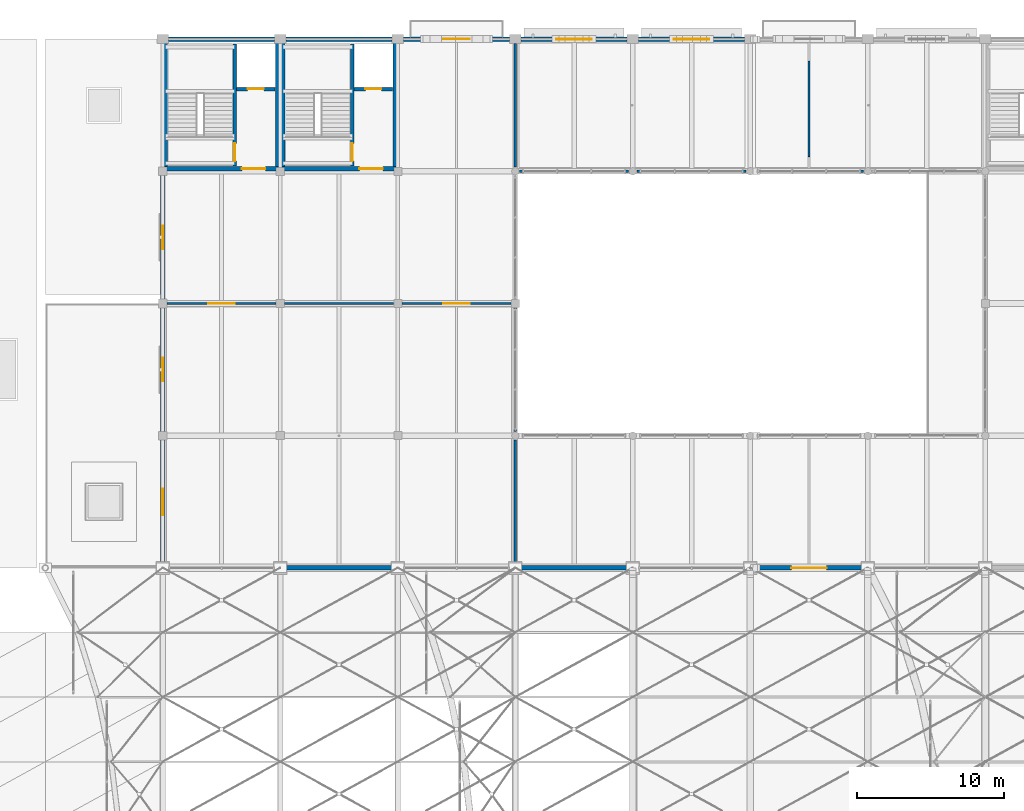
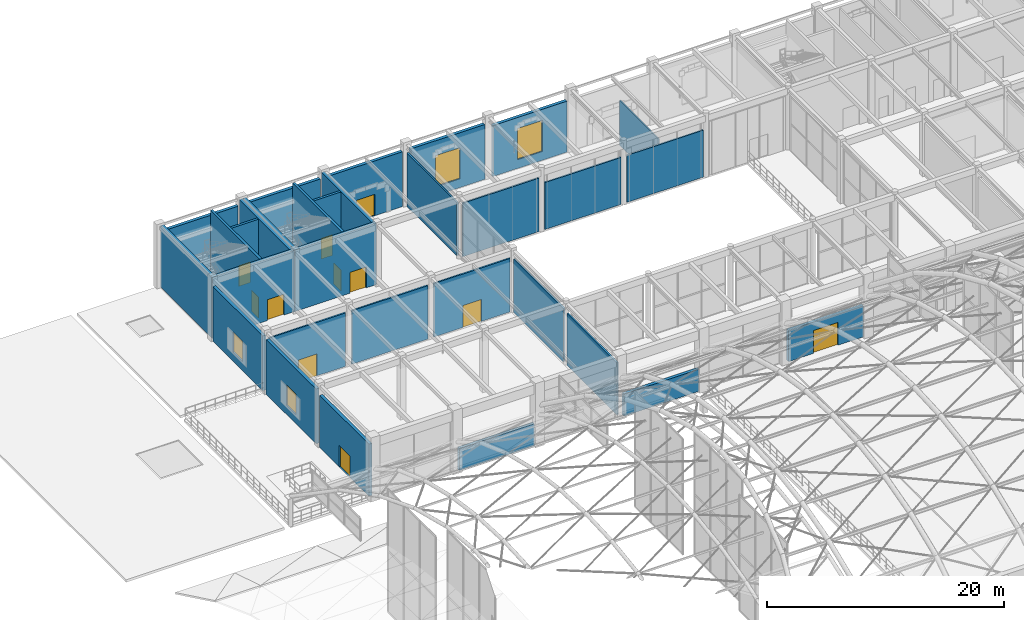
# One storey, part 130 of 163: 31 walls, 11 doors, 4 windows, 15 openings.
"""IFC4 building model written with IfcOpenShell, lengths in metres."""

from ifc_helpers import new_model, si_unit, direction, frame, frame_2d, origin, place, context, subcontext, project, spatial, rectangle, extrude, material, layer, layer_set, type_object, element, fill, save


model = new_model("IFC4")

# Units and contexts
model_context = context("Model", 3, precision=1e-05, world=origin(), true_north=direction((0.0, 1.0)))
body_context = subcontext(model_context, "Body", "Model", "MODEL_VIEW")
ifc_project = project(units=[si_unit("LENGTHUNIT", "METRE"), si_unit("AREAUNIT", "SQUARE_METRE"), si_unit("VOLUMEUNIT", "CUBIC_METRE"), si_unit("PLANEANGLEUNIT", "RADIAN"), si_unit("MASSUNIT", "GRAM", prefix="KILO")], contexts=[model_context])

# Site, building, storey
site_placement = place(None, origin())
site = spatial("IfcSite", under=ifc_project, at=site_placement, CompositionType="ELEMENT")
building_placement = place(site_placement, origin())
building = spatial("IfcBuilding", under=site, at=building_placement, Name="Varnabhumi Central Station", CompositionType="ELEMENT")
storey_placement = place(building_placement, frame((0.0, 0.0, 9.60009765625)))
storey = spatial("IfcBuildingStorey", under=building, at=storey_placement, Name="L02", CompositionType="ELEMENT", Elevation=9.60009765625)

# Walls
ifc_material_1 = material(Name="Concrete M40", Category="concrete")
ifc_layer_1 = layer(ifc_material_1, 0.300048828125, Name="Concrete M40", Category="concrete")
ifc_layer_set_1 = layer_set([ifc_layer_1], Name="Concrete M40")
wall_type_1 = type_object("IfcWallType", Name="WAL-CORE-RC-300", PredefinedType="SHEAR", material=ifc_layer_set_1)
for number, where, z_axis, x_axis, name in (
    (1, (24.179931640625, 107.179931640625, 0.0), (0.0, 0.0, 1.0), (0.0, 1.0, 0.0), "NC1 L02 West Shear Wall"),
    (2, (31.820068359375, 107.179931640625, 0.0), (0.0, 0.0, 1.0), (0.0, 1.0, 0.0), "NC1 L02 East Shear Wall"),
):
    element("IfcWall", number, at=place(storey_placement, frame(where, z_axis=z_axis, x_axis=x_axis)), inside=storey, type_object=wall_type_1, Name=name, PredefinedType="SHEAR", context=body_context, shape_type="SweptSolid", body=[
        extrude(rectangle(XDim=8.64013671875, YDim=0.300048828125, at=frame_2d((4.320068359375, 0.0))), origin(), (0.0, 0.0, 1.0), 6.31982421875),
    ])

# Wall, opening, door
wall_1_placement = place(storey_placement, frame((24.030029296875, 107.179931640625, 0.0), z_axis=(0.0, 0.0, 1.0), x_axis=(1.0, 0.0, 0.0)))
wall_1 = element("IfcWall", 3, at=wall_1_placement, inside=storey, type_object=wall_type_1, Name="NC1 L02 Corridor Shear Wall", PredefinedType="SHEAR", context=body_context, shape_type="SweptSolid", body=[
    extrude(rectangle(XDim=7.93994140625, YDim=0.300048828125, at=frame_2d((3.969970703125, 0.0))), origin(), (0.0, 0.0, 1.0), 6.31982421875),
])
opening_1_placement = place(wall_1_placement, frame((5.35009765625, 0.0, 0.0)))
opening_1 = element("IfcOpeningElement", 4, at=opening_1_placement, cuts=wall_1, Name="Opening FD-60D", PredefinedType="OPENING", context=body_context, shape_type="SweptSolid", body=[
    extrude(rectangle(XDim=1.60009765625, YDim=2.14990234375, at=frame_2d((0.800048828125, 1.074951171875))), frame((0.0, 0.159912109375, 0.0), z_axis=(0.0, -1.0, 0.0), x_axis=(1.0, 0.0, 0.0)), (0.0, 0.0, 1.0), 0.320068359375),
])
ifc_material_2 = material(Name="Intumescent-treated hardwood timber", Category="wood")
door_type_1 = type_object("IfcDoorType", Name="DR-FIRE-60-1600", OperationType="NOTDEFINED", PredefinedType="DOOR", material=ifc_material_2)
door_1_placement = place(opening_1_placement, frame((1.60009765625, 0.0, 0.0), z_axis=(0.0, 0.0, 1.0), x_axis=(-1.0, 0.0, 0.0)))
door_1 = element("IfcDoor", 5, at=door_1_placement, inside=storey, type_object=door_type_1, Name="NC1 L02 Lobby Fire Door", OperationType="DOUBLE_DOOR_SINGLE_SWING", OverallHeight=2.14990234375, OverallWidth=1.60009765625, PredefinedType="DOOR", context=body_context, shape_type="SweptSolid", body=[
    extrude(rectangle(XDim=1.60009765625, YDim=2.14990234375, at=frame_2d((0.800048828125, 1.074951171875))), frame((0.0, 0.02490234375, 0.0), z_axis=(0.0, -1.0, 0.0), x_axis=(1.0, 0.0, 0.0)), (0.0, 0.0, 1.0), 0.050048828125),
])
fill(opening_1, door_1)

# Walls
for number, where, z_axis, x_axis, name in (
    (6, (32.179931640625, 107.179931640625, 0.0), (0.0, 0.0, 1.0), (0.0, 1.0, 0.0), "NC4 L02 West Shear Wall"),
    (7, (39.820068359375, 107.179931640625, 0.0), (0.0, 0.0, 1.0), (0.0, 1.0, 0.0), "NC4 L02 East Shear Wall"),
):
    element("IfcWall", number, at=place(storey_placement, frame(where, z_axis=z_axis, x_axis=x_axis)), inside=storey, type_object=wall_type_1, Name=name, PredefinedType="SHEAR", context=body_context, shape_type="SweptSolid", body=[
        extrude(rectangle(XDim=8.64013671875, YDim=0.300048828125, at=frame_2d((4.320068359375, 0.0))), origin(), (0.0, 0.0, 1.0), 6.31982421875),
    ])

# Wall, opening, door
wall_2_placement = place(storey_placement, frame((32.030029296875, 107.179931640625, 0.0), z_axis=(0.0, 0.0, 1.0), x_axis=(1.0, 0.0, 0.0)))
wall_2 = element("IfcWall", 8, at=wall_2_placement, inside=storey, type_object=wall_type_1, Name="NC4 L02 Corridor Shear Wall", PredefinedType="SHEAR", context=body_context, shape_type="SweptSolid", body=[
    extrude(rectangle(XDim=7.93994140625, YDim=0.300048828125, at=frame_2d((3.969970703125, 0.0))), origin(), (0.0, 0.0, 1.0), 6.31982421875),
])
opening_2_placement = place(wall_2_placement, frame((5.35009765625, 0.0, 0.0)))
opening_2 = element("IfcOpeningElement", 9, at=opening_2_placement, cuts=wall_2, Name="Opening FD-60D", PredefinedType="OPENING", context=body_context, shape_type="SweptSolid", body=[
    extrude(rectangle(XDim=1.60009765625, YDim=2.14990234375, at=frame_2d((0.800048828125, 1.074951171875))), frame((0.0, 0.159912109375, 0.0), z_axis=(0.0, -1.0, 0.0), x_axis=(1.0, 0.0, 0.0)), (0.0, 0.0, 1.0), 0.320068359375),
])
door_2_placement = place(opening_2_placement, frame((1.60009765625, 0.0, 0.0), z_axis=(0.0, 0.0, 1.0), x_axis=(-1.0, 0.0, 0.0)))
door_2 = element("IfcDoor", 10, at=door_2_placement, inside=storey, type_object=door_type_1, Name="NC4 L02 Lobby Fire Door", OperationType="DOUBLE_DOOR_SINGLE_SWING", OverallHeight=2.14990234375, OverallWidth=1.60009765625, PredefinedType="DOOR", context=body_context, shape_type="SweptSolid", body=[
    extrude(rectangle(XDim=1.60009765625, YDim=2.14990234375, at=frame_2d((0.800048828125, 1.074951171875))), frame((0.0, 0.02490234375, 0.0), z_axis=(0.0, -1.0, 0.0), x_axis=(1.0, 0.0, 0.0)), (0.0, 0.0, 1.0), 0.050048828125),
])
fill(opening_2, door_2)

# Walls
ifc_material_3 = material(Name="Autoclaved aerated blockwork masonry", Category="masonry")
ifc_layer_2 = layer(ifc_material_3, 0.300048828125, Name="Autoclaved aerated blockwork masonry", Category="masonry")
ifc_layer_set_2 = layer_set([ifc_layer_2], Name="Autoclaved aerated blockwork masonry")
wall_type_2 = type_object("IfcWallType", Name="WAL-EXT-STUCCO-300", PredefinedType="SOLIDWALL", material=ifc_layer_set_2)
for number, where, z_axis, x_axis, name in (
    (11, (24.39990234375, 116.0, 0.0), (0.0, 0.0, 1.0), (1.0, 0.0, 0.0), "North Boulevard Wall L02-1"),
    (12, (32.39990234375, 116.0, 0.0), (0.0, 0.0, 1.0), (1.0, 0.0, 0.0), "North Boulevard Wall L02-2"),
):
    element("IfcWall", number, at=place(storey_placement, frame(where, z_axis=z_axis, x_axis=x_axis)), inside=storey, type_object=wall_type_2, Name=name, PredefinedType="SOLIDWALL", context=body_context, shape_type="SweptSolid", body=[
        extrude(rectangle(XDim=7.2001953125, YDim=0.300048828125, at=frame_2d((3.60009765625, 0.0))), origin(), (0.0, 0.0, 1.0), 5.639892578125),
    ])
wall_3_placement = place(storey_placement, frame((32.344970703125, 80.0, 0.0), z_axis=(0.0, 0.0, 1.0), x_axis=(1.0, 0.0, 0.0)))
element("IfcWall", 13, at=wall_3_placement, inside=storey, type_object=wall_type_2, Name="North Spine Wall L02-2", PredefinedType="SOLIDWALL", context=body_context, shape_type="SweptSolid", body=[
    extrude(rectangle(XDim=7.31005859375, YDim=0.300048828125, at=frame_2d((3.655029296875, 0.0))), origin(), (0.0, 0.0, 1.0), 2.27001953125),
])

# Wall, opening, door
wall_4_placement = place(storey_placement, frame((40.39990234375, 116.0, 0.0), z_axis=(0.0, 0.0, 1.0), x_axis=(1.0, 0.0, 0.0)))
wall_4 = element("IfcWall", 14, at=wall_4_placement, inside=storey, type_object=wall_type_2, Name="North Boulevard Wall L02-3", PredefinedType="SOLIDWALL", context=body_context, shape_type="SweptSolid", body=[
    extrude(rectangle(XDim=7.2001953125, YDim=0.300048828125, at=frame_2d((3.60009765625, 0.0))), origin(), (0.0, 0.0, 1.0), 5.639892578125),
])
opening_3_placement = place(wall_4_placement, frame((2.699951171875, 0.0, 0.0)))
opening_3 = element("IfcOpeningElement", 15, at=opening_3_placement, cuts=wall_4, Name="Opening ED-4", PredefinedType="OPENING", context=body_context, shape_type="SweptSolid", body=[
    extrude(rectangle(XDim=1.800048828125, YDim=2.199951171875, at=frame_2d((0.89990234375, 1.10009765625))), frame((0.0, 0.159912109375, 0.0), z_axis=(0.0, -1.0, 0.0), x_axis=(1.0, 0.0, 0.0)), (0.0, 0.0, 1.0), 0.320068359375),
])
ifc_material_4 = material(Name="Anodised aluminium 6063-T6", Category="aluminium")
door_type_2 = type_object("IfcDoorType", Name="DR-EXT-AZOTEA-1800", OperationType="NOTDEFINED", PredefinedType="DOOR", material=ifc_material_4)
door_3_placement = place(opening_3_placement, origin())
door_3 = element("IfcDoor", 16, at=door_3_placement, inside=storey, type_object=door_type_2, Name="North Boulevard Balcony French Door L02-3", OperationType="DOUBLE_DOOR_SINGLE_SWING", OverallHeight=2.199951171875, OverallWidth=1.800048828125, PredefinedType="DOOR", context=body_context, shape_type="SweptSolid", body=[
    extrude(rectangle(XDim=1.800048828125, YDim=2.199951171875, at=frame_2d((0.89990234375, 1.10009765625))), frame((0.0, 0.02490234375, 0.0), z_axis=(0.0, -1.0, 0.0), x_axis=(1.0, 0.0, 0.0)), (0.0, 0.0, 1.0), 0.050048828125),
])
fill(opening_3, door_3)

# Wall, opening, window
wall_5_placement = place(storey_placement, frame((48.39990234375, 116.0, 0.0), z_axis=(0.0, 0.0, 1.0), x_axis=(1.0, 0.0, 0.0)))
wall_5 = element("IfcWall", 17, at=wall_5_placement, inside=storey, type_object=wall_type_2, Name="North Boulevard Wall L02-4", PredefinedType="SOLIDWALL", context=body_context, shape_type="SweptSolid", body=[
    extrude(rectangle(XDim=7.2001953125, YDim=0.300048828125, at=frame_2d((3.60009765625, 0.0))), origin(), (0.0, 0.0, 1.0), 5.639892578125),
])
opening_4_placement = place(wall_5_placement, frame((2.39990234375, 0.0, 0.89990234375)))
opening_4 = element("IfcOpeningElement", 18, at=opening_4_placement, cuts=wall_5, Name="Opening W-05", PredefinedType="OPENING", context=body_context, shape_type="SweptSolid", body=[
    extrude(rectangle(XDim=2.39990234375, YDim=3.199951171875, at=frame_2d((1.199951171875, 1.60009765625))), frame((0.0, 0.159912109375, 0.0), z_axis=(0.0, -1.0, 0.0), x_axis=(1.0, 0.0, 0.0)), (0.0, 0.0, 1.0), 0.320068359375),
])
ifc_material_5 = material(Name="Laminated low-E double glazing", Category="glass")
window_type_1 = type_object("IfcWindowType", Name="WIN-TALL-2400x3200", PartitioningType="TRIPLE_PANEL_HORIZONTAL", PredefinedType="WINDOW", material=ifc_material_5)
window_1_placement = place(opening_4_placement, origin())
window_1 = element("IfcWindow", 19, at=window_1_placement, inside=storey, type_object=window_type_1, Name="North Facade Window L02-4", OverallHeight=3.199951171875, OverallWidth=2.39990234375, PartitioningType="SINGLE_PANEL", PredefinedType="WINDOW", context=body_context, shape_type="SweptSolid", body=[
    extrude(rectangle(XDim=2.39990234375, YDim=3.199951171875, at=frame_2d((1.199951171875, 1.60009765625))), frame((0.0, 0.030029296875, 0.0), z_axis=(0.0, -1.0, 0.0), x_axis=(1.0, 0.0, 0.0)), (0.0, 0.0, 1.0), 0.06005859375),
])
fill(opening_4, window_1)

# Wall
wall_6_placement = place(storey_placement, frame((48.344970703125, 80.0, 0.0), z_axis=(0.0, 0.0, 1.0), x_axis=(1.0, 0.0, 0.0)))
element("IfcWall", 20, at=wall_6_placement, inside=storey, type_object=wall_type_2, Name="North Spine Wall L02-4", PredefinedType="SOLIDWALL", context=body_context, shape_type="SweptSolid", body=[
    extrude(rectangle(XDim=7.31005859375, YDim=0.300048828125, at=frame_2d((3.655029296875, 0.0))), origin(), (0.0, 0.0, 1.0), 2.27001953125),
])

# Wall, opening, window
wall_7_placement = place(storey_placement, frame((56.39990234375, 116.0, 0.0), z_axis=(0.0, 0.0, 1.0), x_axis=(1.0, 0.0, 0.0)))
wall_7 = element("IfcWall", 21, at=wall_7_placement, inside=storey, type_object=wall_type_2, Name="North Boulevard Wall L02-5", PredefinedType="SOLIDWALL", context=body_context, shape_type="SweptSolid", body=[
    extrude(rectangle(XDim=7.2001953125, YDim=0.300048828125, at=frame_2d((3.60009765625, 0.0))), origin(), (0.0, 0.0, 1.0), 5.239990234375),
])
opening_5_placement = place(wall_7_placement, frame((2.39990234375, 0.0, 0.89990234375)))
opening_5 = element("IfcOpeningElement", 22, at=opening_5_placement, cuts=wall_7, Name="Opening W-05", PredefinedType="OPENING", context=body_context, shape_type="SweptSolid", body=[
    extrude(rectangle(XDim=2.39990234375, YDim=3.199951171875, at=frame_2d((1.199951171875, 1.60009765625))), frame((0.0, 0.159912109375, 0.0), z_axis=(0.0, -1.0, 0.0), x_axis=(1.0, 0.0, 0.0)), (0.0, 0.0, 1.0), 0.320068359375),
])
window_2_placement = place(opening_5_placement, origin())
window_2 = element("IfcWindow", 23, at=window_2_placement, inside=storey, type_object=window_type_1, Name="North Facade Window L02-5", OverallHeight=3.199951171875, OverallWidth=2.39990234375, PartitioningType="SINGLE_PANEL", PredefinedType="WINDOW", context=body_context, shape_type="SweptSolid", body=[
    extrude(rectangle(XDim=2.39990234375, YDim=3.199951171875, at=frame_2d((1.199951171875, 1.60009765625))), frame((0.0, 0.030029296875, 0.0), z_axis=(0.0, -1.0, 0.0), x_axis=(1.0, 0.0, 0.0)), (0.0, 0.0, 1.0), 0.06005859375),
])
fill(opening_5, window_2)

# Wall, opening, door
wall_8_placement = place(storey_placement, frame((64.344970703125, 80.0, 0.0), z_axis=(0.0, 0.0, 1.0), x_axis=(1.0, 0.0, 0.0)))
wall_8 = element("IfcWall", 24, at=wall_8_placement, inside=storey, type_object=wall_type_2, Name="North Spine Wall L02-6", PredefinedType="SOLIDWALL", context=body_context, shape_type="SweptSolid", body=[
    extrude(rectangle(XDim=7.31005859375, YDim=0.300048828125, at=frame_2d((3.655029296875, 0.0))), origin(), (0.0, 0.0, 1.0), 3.219970703125),
])
opening_6_placement = place(wall_8_placement, frame((2.455078125, 0.0, 0.0)))
opening_6 = element("IfcOpeningElement", 25, at=opening_6_placement, cuts=wall_8, Name="Opening ED-1", PredefinedType="OPENING", context=body_context, shape_type="SweptSolid", body=[
    extrude(rectangle(XDim=2.39990234375, YDim=2.35009765625, at=frame_2d((1.199951171875, 1.175048828125))), frame((0.0, 0.159912109375, 0.0), z_axis=(0.0, -1.0, 0.0), x_axis=(1.0, 0.0, 0.0)), (0.0, 0.0, 1.0), 0.320068359375),
])
door_type_3 = type_object("IfcDoorType", Name="DR-EXT-PORTAL-2400", OperationType="NOTDEFINED", PredefinedType="DOOR", material=ifc_material_4)
door_4_placement = place(opening_6_placement, frame((2.39990234375, 0.0, 0.0), z_axis=(0.0, 0.0, 1.0), x_axis=(-1.0, 0.0, 0.0)))
door_4 = element("IfcDoor", 26, at=door_4_placement, inside=storey, type_object=door_type_3, Name="North Spine Portal Door L02-6", OperationType="DOUBLE_DOOR_SINGLE_SWING", OverallHeight=2.35009765625, OverallWidth=2.39990234375, PredefinedType="DOOR", context=body_context, shape_type="SweptSolid", body=[
    extrude(rectangle(XDim=2.39990234375, YDim=2.35009765625, at=frame_2d((1.199951171875, 1.175048828125))), frame((0.0, 0.02490234375, 0.0), z_axis=(0.0, -1.0, 0.0), x_axis=(1.0, 0.0, 0.0)), (0.0, 0.0, 1.0), 0.050048828125),
])
fill(opening_6, door_4)

wall_9_placement = place(storey_placement, frame((24.0, 80.39990234375, 0.0), z_axis=(0.0, 0.0, 1.0), x_axis=(0.0, 1.0, 0.0)))
wall_9 = element("IfcWall", 27, at=wall_9_placement, inside=storey, type_object=wall_type_2, Name="North Wing E End Wall L02-1", PredefinedType="SOLIDWALL", context=body_context, shape_type="SweptSolid", body=[
    extrude(rectangle(XDim=8.30517578125, YDim=0.300048828125, at=frame_2d((4.152587890625, 0.0))), origin(), (0.0, 0.0, 1.0), 5.35986328125),
])
opening_7_placement = place(wall_9_placement, frame((3.199951171875, 0.0, 0.0)))
opening_7 = element("IfcOpeningElement", 28, at=opening_7_placement, cuts=wall_9, Name="Opening ED-4", PredefinedType="OPENING", context=body_context, shape_type="SweptSolid", body=[
    extrude(rectangle(XDim=1.800048828125, YDim=2.199951171875, at=frame_2d((0.89990234375, 1.10009765625))), frame((0.0, 0.159912109375, 0.0), z_axis=(0.0, -1.0, 0.0), x_axis=(1.0, 0.0, 0.0)), (0.0, 0.0, 1.0), 0.320068359375),
])
door_5_placement = place(opening_7_placement, frame((1.800048828125, 0.0, 0.0), z_axis=(0.0, 0.0, 1.0), x_axis=(-1.0, 0.0, 0.0)))
door_5 = element("IfcDoor", 29, at=door_5_placement, inside=storey, type_object=door_type_2, Name="North Azotea Garden Door L02-E", OperationType="DOUBLE_DOOR_SINGLE_SWING", OverallHeight=2.199951171875, OverallWidth=1.800048828125, PredefinedType="DOOR", context=body_context, shape_type="SweptSolid", body=[
    extrude(rectangle(XDim=1.800048828125, YDim=2.199951171875, at=frame_2d((0.89990234375, 1.10009765625))), frame((0.0, 0.02490234375, 0.0), z_axis=(0.0, -1.0, 0.0), x_axis=(1.0, 0.0, 0.0)), (0.0, 0.0, 1.0), 0.050048828125),
])
fill(opening_7, door_5)

# Wall, opening, window
wall_10_placement = place(storey_placement, frame((24.0, 89.294921875, 0.0), z_axis=(0.0, 0.0, 1.0), x_axis=(0.0, 1.0, 0.0)))
wall_10 = element("IfcWall", 30, at=wall_10_placement, inside=storey, type_object=wall_type_2, Name="North Wing E End Wall L02-2", PredefinedType="SOLIDWALL", context=body_context, shape_type="SweptSolid", body=[
    extrude(rectangle(XDim=8.41015625, YDim=0.300048828125, at=frame_2d((4.205078125, 0.0))), origin(), (0.0, 0.0, 1.0), 5.639892578125),
])
opening_8_placement = place(wall_10_placement, frame((3.405029296875, 0.0, 0.949951171875)))
opening_8 = element("IfcOpeningElement", 31, at=opening_8_placement, cuts=wall_10, Name="Opening W-04", PredefinedType="OPENING", context=body_context, shape_type="SweptSolid", body=[
    extrude(rectangle(XDim=1.60009765625, YDim=2.10009765625, at=frame_2d((0.800048828125, 1.050048828125))), frame((0.0, 0.159912109375, 0.0), z_axis=(0.0, -1.0, 0.0), x_axis=(1.0, 0.0, 0.0)), (0.0, 0.0, 1.0), 0.320068359375),
])
window_type_2 = type_object("IfcWindowType", Name="WIN-PIER-1600x2200", PartitioningType="SINGLE_PANEL", PredefinedType="WINDOW", material=ifc_material_5)
window_3_placement = place(opening_8_placement, origin())
window_3 = element("IfcWindow", 32, at=window_3_placement, inside=storey, type_object=window_type_2, Name="North E Window L02-2", OverallHeight=2.10009765625, OverallWidth=1.60009765625, PartitioningType="SINGLE_PANEL", PredefinedType="WINDOW", context=body_context, shape_type="SweptSolid", body=[
    extrude(rectangle(XDim=1.60009765625, YDim=2.10009765625, at=frame_2d((0.800048828125, 1.050048828125))), frame((0.0, 0.030029296875, 0.0), z_axis=(0.0, -1.0, 0.0), x_axis=(1.0, 0.0, 0.0)), (0.0, 0.0, 1.0), 0.06005859375),
])
fill(opening_8, window_3)

wall_11_placement = place(storey_placement, frame((24.0, 98.294921875, 0.0), z_axis=(0.0, 0.0, 1.0), x_axis=(0.0, 1.0, 0.0)))
wall_11 = element("IfcWall", 33, at=wall_11_placement, inside=storey, type_object=wall_type_2, Name="North Wing E End Wall L02-3", PredefinedType="SOLIDWALL", context=body_context, shape_type="SweptSolid", body=[
    extrude(rectangle(XDim=8.41015625, YDim=0.300048828125, at=frame_2d((4.205078125, 0.0))), origin(), (0.0, 0.0, 1.0), 5.639892578125),
])
opening_9_placement = place(wall_11_placement, frame((3.405029296875, 0.0, 0.949951171875)))
opening_9 = element("IfcOpeningElement", 34, at=opening_9_placement, cuts=wall_11, Name="Opening W-04", PredefinedType="OPENING", context=body_context, shape_type="SweptSolid", body=[
    extrude(rectangle(XDim=1.60009765625, YDim=2.10009765625, at=frame_2d((0.800048828125, 1.050048828125))), frame((0.0, 0.159912109375, 0.0), z_axis=(0.0, -1.0, 0.0), x_axis=(1.0, 0.0, 0.0)), (0.0, 0.0, 1.0), 0.320068359375),
])
window_4_placement = place(opening_9_placement, origin())
window_4 = element("IfcWindow", 35, at=window_4_placement, inside=storey, type_object=window_type_2, Name="North E Window L02-3", OverallHeight=2.10009765625, OverallWidth=1.60009765625, PartitioningType="SINGLE_PANEL", PredefinedType="WINDOW", context=body_context, shape_type="SweptSolid", body=[
    extrude(rectangle(XDim=1.60009765625, YDim=2.10009765625, at=frame_2d((0.800048828125, 1.050048828125))), frame((0.0, 0.030029296875, 0.0), z_axis=(0.0, -1.0, 0.0), x_axis=(1.0, 0.0, 0.0)), (0.0, 0.0, 1.0), 0.06005859375),
])
fill(opening_9, window_4)

# Wall, opening, door
ifc_layer_3 = layer(ifc_material_3, 0.159912109375, Name="Autoclaved aerated blockwork masonry", Category="masonry")
ifc_layer_set_3 = layer_set([ifc_layer_3], Name="Autoclaved aerated blockwork masonry")
wall_type_3 = type_object("IfcWallType", Name="WAL-PART-AAC-160", PredefinedType="PARTITIONING", material=ifc_layer_set_3)
wall_12_placement = place(storey_placement, frame((24.300048828125, 98.0, 0.0), z_axis=(0.0, 0.0, 1.0), x_axis=(1.0, 0.0, 0.0)))
wall_12 = element("IfcWall", 36, at=wall_12_placement, inside=storey, type_object=wall_type_3, Name="Executive Waiting Lounge Corridor Partition 1", PredefinedType="PARTITIONING", context=body_context, shape_type="SweptSolid", body=[
    extrude(rectangle(XDim=7.39990234375, YDim=0.159912109375, at=frame_2d((3.699951171875, 0.0))), origin(), (0.0, 0.0, 1.0), 5.5),
])
opening_10_placement = place(wall_12_placement, frame((2.800048828125, 0.0, 0.0)))
opening_10 = element("IfcOpeningElement", 37, at=opening_10_placement, cuts=wall_12, Name="Opening D-02", PredefinedType="OPENING", context=body_context, shape_type="SweptSolid", body=[
    extrude(rectangle(XDim=1.800048828125, YDim=2.25, at=frame_2d((0.89990234375, 1.125))), frame((0.0, 0.08984375, 0.0), z_axis=(0.0, -1.0, 0.0), x_axis=(1.0, 0.0, 0.0)), (0.0, 0.0, 1.0), 0.179931640625),
])
door_type_4 = type_object("IfcDoorType", Name="DR-LOUNGE-1800", OperationType="NOTDEFINED", PredefinedType="DOOR", material=ifc_material_4)
door_6_placement = place(opening_10_placement, origin())
door_6 = element("IfcDoor", 38, at=door_6_placement, inside=storey, type_object=door_type_4, Name="Executive Waiting Lounge Door 1", OperationType="DOUBLE_DOOR_SINGLE_SWING", OverallHeight=2.25, OverallWidth=1.800048828125, PredefinedType="DOOR", context=body_context, shape_type="SweptSolid", body=[
    extrude(rectangle(XDim=1.800048828125, YDim=2.25, at=frame_2d((0.89990234375, 1.125))), frame((0.0, 0.02490234375, 0.0), z_axis=(0.0, -1.0, 0.0), x_axis=(1.0, 0.0, 0.0)), (0.0, 0.0, 1.0), 0.050048828125),
])
fill(opening_10, door_6)

# Wall
wall_13_placement = place(storey_placement, frame((32.300048828125, 98.0, 0.0), z_axis=(0.0, 0.0, 1.0), x_axis=(1.0, 0.0, 0.0)))
element("IfcWall", 39, at=wall_13_placement, inside=storey, type_object=wall_type_3, Name="Executive Waiting Lounge Corridor Partition 2", PredefinedType="PARTITIONING", context=body_context, shape_type="SweptSolid", body=[
    extrude(rectangle(XDim=7.39990234375, YDim=0.159912109375, at=frame_2d((3.699951171875, 0.0))), origin(), (0.0, 0.0, 1.0), 5.5),
])

# Wall, opening, door
wall_14_placement = place(storey_placement, frame((40.300048828125, 98.0, 0.0), z_axis=(0.0, 0.0, 1.0), x_axis=(1.0, 0.0, 0.0)))
wall_14 = element("IfcWall", 40, at=wall_14_placement, inside=storey, type_object=wall_type_3, Name="Executive Waiting Lounge Corridor Partition 3", PredefinedType="PARTITIONING", context=body_context, shape_type="SweptSolid", body=[
    extrude(rectangle(XDim=7.39990234375, YDim=0.159912109375, at=frame_2d((3.699951171875, 0.0))), origin(), (0.0, 0.0, 1.0), 5.5),
])
opening_11_placement = place(wall_14_placement, frame((2.800048828125, 0.0, 0.0)))
opening_11 = element("IfcOpeningElement", 41, at=opening_11_placement, cuts=wall_14, Name="Opening D-02", PredefinedType="OPENING", context=body_context, shape_type="SweptSolid", body=[
    extrude(rectangle(XDim=1.800048828125, YDim=2.25, at=frame_2d((0.89990234375, 1.125))), frame((0.0, 0.08984375, 0.0), z_axis=(0.0, -1.0, 0.0), x_axis=(1.0, 0.0, 0.0)), (0.0, 0.0, 1.0), 0.179931640625),
])
door_7_placement = place(opening_11_placement, origin())
door_7 = element("IfcDoor", 42, at=door_7_placement, inside=storey, type_object=door_type_4, Name="Executive Waiting Lounge Door 3", OperationType="DOUBLE_DOOR_SINGLE_SWING", OverallHeight=2.25, OverallWidth=1.800048828125, PredefinedType="DOOR", context=body_context, shape_type="SweptSolid", body=[
    extrude(rectangle(XDim=1.800048828125, YDim=2.25, at=frame_2d((0.89990234375, 1.125))), frame((0.0, 0.02490234375, 0.0), z_axis=(0.0, -1.0, 0.0), x_axis=(1.0, 0.0, 0.0)), (0.0, 0.0, 1.0), 0.050048828125),
])
fill(opening_11, door_7)

# Walls
wall_15_placement = place(storey_placement, frame((48.0, 80.300048828125, 0.0), z_axis=(0.0, 0.0, 1.0), x_axis=(0.0, 1.0, 0.0)))
element("IfcWall", 43, at=wall_15_placement, inside=storey, type_object=wall_type_3, Name="Executive Waiting Lounge W Partition 1", PredefinedType="PARTITIONING", context=body_context, shape_type="SweptSolid", body=[
    extrude(rectangle(XDim=8.39990234375, YDim=0.159912109375, at=frame_2d((4.199951171875, 0.0))), origin(), (0.0, 0.0, 1.0), 5.35986328125),
])
wall_16_placement = place(storey_placement, frame((48.0, 89.300048828125, 0.0), z_axis=(0.0, 0.0, 1.0), x_axis=(0.0, 1.0, 0.0)))
element("IfcWall", 44, at=wall_16_placement, inside=storey, type_object=wall_type_3, Name="Executive Waiting Lounge W Partition 2", PredefinedType="PARTITIONING", context=body_context, shape_type="SweptSolid", body=[
    extrude(rectangle(XDim=8.39990234375, YDim=0.159912109375, at=frame_2d((4.199951171875, 0.0))), origin(), (0.0, 0.0, 1.0), 5.5),
])
wall_17_placement = place(storey_placement, frame((48.300048828125, 107.0, 0.0), z_axis=(0.0, 0.0, 1.0), x_axis=(1.0, 0.0, 0.0)))
element("IfcWall", 45, at=wall_17_placement, inside=storey, type_object=wall_type_3, Name="Ladies' Waiting Lounge Corridor Partition 1", PredefinedType="PARTITIONING", context=body_context, shape_type="SweptSolid", body=[
    extrude(rectangle(XDim=7.39990234375, YDim=0.159912109375, at=frame_2d((3.699951171875, 0.0))), origin(), (0.0, 0.0, 1.0), 5.5),
])
for number, where, z_axis, x_axis, name in (
    (46, (56.300048828125, 107.0, 0.0), (0.0, 0.0, 1.0), (1.0, 0.0, 0.0), "Ladies' Waiting Lounge Corridor Partition 2"),
    (47, (64.300048828125, 107.0, 0.0), (0.0, 0.0, 1.0), (1.0, 0.0, 0.0), "Ladies' Waiting Lounge Corridor Partition 3"),
):
    element("IfcWall", number, at=place(storey_placement, frame(where, z_axis=z_axis, x_axis=x_axis)), inside=storey, type_object=wall_type_3, Name=name, PredefinedType="PARTITIONING", context=body_context, shape_type="SweptSolid", body=[
        extrude(rectangle(XDim=7.39990234375, YDim=0.159912109375, at=frame_2d((3.699951171875, 0.0))), origin(), (0.0, 0.0, 1.0), 4.829833984375),
    ])
wall_18_placement = place(storey_placement, frame((48.0, 107.300048828125, 0.0), z_axis=(0.0, 0.0, 1.0), x_axis=(0.0, 1.0, 0.0)))
element("IfcWall", 48, at=wall_18_placement, inside=storey, type_object=wall_type_3, Name="Ladies' Waiting Lounge E Partition 1", PredefinedType="PARTITIONING", context=body_context, shape_type="SweptSolid", body=[
    extrude(rectangle(XDim=8.39990234375, YDim=0.159912109375, at=frame_2d((4.199951171875, 0.0))), origin(), (0.0, 0.0, 1.0), 5.5),
])
ifc_layer_4 = layer(ifc_material_3, 0.1201171875, Name="Autoclaved aerated blockwork masonry", Category="masonry")
ifc_layer_set_4 = layer_set([ifc_layer_4], Name="Autoclaved aerated blockwork masonry")
wall_type_4 = type_object("IfcWallType", Name="WAL-PART-DRY-120", PredefinedType="MOVABLE", material=ifc_layer_set_4)
wall_19_placement = place(storey_placement, frame((68.0, 108.0, 0.0), z_axis=(0.0, 0.0, 1.0), x_axis=(0.0, 1.0, 0.0)))
element("IfcWall", 49, at=wall_19_placement, inside=storey, type_object=wall_type_4, Name="Acoustic Operable Partition MP-1", PredefinedType="MOVABLE", context=body_context, shape_type="SweptSolid", body=[
    extrude(rectangle(XDim=6.5, YDim=0.1201171875, at=frame_2d((3.25, 0.0))), origin(), (0.0, 0.0, 1.0), 4.599853515625),
])

# Wall, opening, door
ifc_layer_5 = layer(ifc_material_1, 0.239990234375, Name="Concrete M40", Category="concrete")
ifc_layer_set_5 = layer_set([ifc_layer_5], Name="Concrete M40")
wall_type_5 = type_object("IfcWallType", Name="WAL-SHAFT-RC-240", PredefinedType="SHEAR", material=ifc_layer_set_5)
wall_20_placement = place(storey_placement, frame((28.89990234375, 107.35009765625, 0.0), z_axis=(0.0, 0.0, 1.0), x_axis=(0.0, 1.0, 0.0)))
wall_20 = element("IfcWall", 50, at=wall_20_placement, inside=storey, type_object=wall_type_5, Name="NC1 L02 Stair-Lobby Divider Wall", PredefinedType="SHEAR", context=body_context, shape_type="SweptSolid", body=[
    extrude(rectangle(XDim=8.2998046875, YDim=0.239990234375, at=frame_2d((4.14990234375, 0.0))), origin(), (0.0, 0.0, 1.0), 6.31982421875),
])
opening_12_placement = place(wall_20_placement, frame((0.35009765625, 0.0, 0.0)))
opening_12 = element("IfcOpeningElement", 51, at=opening_12_placement, cuts=wall_20, Name="Opening FD-120", PredefinedType="OPENING", context=body_context, shape_type="SweptSolid", body=[
    extrude(rectangle(XDim=1.199951171875, YDim=2.14990234375, at=frame_2d((0.60009765625, 1.074951171875))), frame((0.0, 0.1298828125, 0.0), z_axis=(0.0, -1.0, 0.0), x_axis=(1.0, 0.0, 0.0)), (0.0, 0.0, 1.0), 0.260009765625),
])
ifc_material_6 = material(Name="Stainless steel Grade 316", Category="steel")
door_type_5 = type_object("IfcDoorType", Name="DR-FIRE-120-1200", OperationType="NOTDEFINED", PredefinedType="DOOR", material=ifc_material_6)
door_8_placement = place(opening_12_placement, frame((1.199951171875, 0.0, 0.0), z_axis=(0.0, 0.0, 1.0), x_axis=(-1.0, 0.0, 0.0)))
door_8 = element("IfcDoor", 52, at=door_8_placement, inside=storey, type_object=door_type_5, Name="ST-N1 L02 Fire Door", OperationType="SINGLE_SWING_LEFT", OverallHeight=2.14990234375, OverallWidth=1.199951171875, PredefinedType="DOOR", context=body_context, shape_type="SweptSolid", body=[
    extrude(rectangle(XDim=1.199951171875, YDim=2.14990234375, at=frame_2d((0.60009765625, 1.074951171875))), frame((0.0, 0.02490234375, 0.0), z_axis=(0.0, -1.0, 0.0), x_axis=(1.0, 0.0, 0.0)), (0.0, 0.0, 1.0), 0.050048828125),
])
fill(opening_12, door_8)

wall_21_placement = place(storey_placement, frame((29.02001953125, 112.60009765625, 0.0), z_axis=(0.0, 0.0, 1.0), x_axis=(1.0, 0.0, 0.0)))
wall_21 = element("IfcWall", 53, at=wall_21_placement, inside=storey, type_object=wall_type_5, Name="PL-5 L02 Lift Shaft Front Wall", PredefinedType="SHEAR", context=body_context, shape_type="SweptSolid", body=[
    extrude(rectangle(XDim=2.6298828125, YDim=0.239990234375, at=frame_2d((1.31494140625, 0.0))), origin(), (0.0, 0.0, 1.0), 6.31982421875),
])
opening_13_placement = place(wall_21_placement, frame((0.764892578125, 0.0, 0.0)))
opening_13 = element("IfcOpeningElement", 54, at=opening_13_placement, cuts=wall_21, Name="Opening LD-PL-5", PredefinedType="OPENING", context=body_context, shape_type="SweptSolid", body=[
    extrude(rectangle(XDim=1.10009765625, YDim=2.14990234375, at=frame_2d((0.550048828125, 1.074951171875))), frame((0.0, 0.1298828125, 0.0), z_axis=(0.0, -1.0, 0.0), x_axis=(1.0, 0.0, 0.0)), (0.0, 0.0, 1.0), 0.260009765625),
])
door_type_6 = type_object("IfcDoorType", Name="DR-LIFT-PASS-1100", OperationType="NOTDEFINED", PredefinedType="DOOR", material=ifc_material_6)
door_9_placement = place(opening_13_placement, origin())
door_9 = element("IfcDoor", 55, at=door_9_placement, inside=storey, type_object=door_type_6, Name="Lift Landing Door PL-5 L02", OperationType="DOUBLE_DOOR_SLIDING", OverallHeight=2.14990234375, OverallWidth=1.10009765625, PredefinedType="DOOR", context=body_context, shape_type="SweptSolid", body=[
    extrude(rectangle(XDim=1.10009765625, YDim=2.14990234375, at=frame_2d((0.550048828125, 1.074951171875))), frame((0.0, 0.02490234375, 0.0), z_axis=(0.0, -1.0, 0.0), x_axis=(1.0, 0.0, 0.0)), (0.0, 0.0, 1.0), 0.050048828125),
])
fill(opening_13, door_9)

wall_22_placement = place(storey_placement, frame((36.89990234375, 107.35009765625, 0.0), z_axis=(0.0, 0.0, 1.0), x_axis=(0.0, 1.0, 0.0)))
wall_22 = element("IfcWall", 56, at=wall_22_placement, inside=storey, type_object=wall_type_5, Name="NC4 L02 Stair-Lobby Divider Wall", PredefinedType="SHEAR", context=body_context, shape_type="SweptSolid", body=[
    extrude(rectangle(XDim=8.2998046875, YDim=0.239990234375, at=frame_2d((4.14990234375, 0.0))), origin(), (0.0, 0.0, 1.0), 6.31982421875),
])
opening_14_placement = place(wall_22_placement, frame((0.35009765625, 0.0, 0.0)))
opening_14 = element("IfcOpeningElement", 57, at=opening_14_placement, cuts=wall_22, Name="Opening FD-120", PredefinedType="OPENING", context=body_context, shape_type="SweptSolid", body=[
    extrude(rectangle(XDim=1.199951171875, YDim=2.14990234375, at=frame_2d((0.60009765625, 1.074951171875))), frame((0.0, 0.1298828125, 0.0), z_axis=(0.0, -1.0, 0.0), x_axis=(1.0, 0.0, 0.0)), (0.0, 0.0, 1.0), 0.260009765625),
])
door_10_placement = place(opening_14_placement, frame((1.199951171875, 0.0, 0.0), z_axis=(0.0, 0.0, 1.0), x_axis=(-1.0, 0.0, 0.0)))
door_10 = element("IfcDoor", 58, at=door_10_placement, inside=storey, type_object=door_type_5, Name="ST-N4 L02 Fire Door", OperationType="SINGLE_SWING_LEFT", OverallHeight=2.14990234375, OverallWidth=1.199951171875, PredefinedType="DOOR", context=body_context, shape_type="SweptSolid", body=[
    extrude(rectangle(XDim=1.199951171875, YDim=2.14990234375, at=frame_2d((0.60009765625, 1.074951171875))), frame((0.0, 0.02490234375, 0.0), z_axis=(0.0, -1.0, 0.0), x_axis=(1.0, 0.0, 0.0)), (0.0, 0.0, 1.0), 0.050048828125),
])
fill(opening_14, door_10)

wall_23_placement = place(storey_placement, frame((37.02001953125, 112.60009765625, 0.0), z_axis=(0.0, 0.0, 1.0), x_axis=(1.0, 0.0, 0.0)))
wall_23 = element("IfcWall", 59, at=wall_23_placement, inside=storey, type_object=wall_type_5, Name="PL-9 L02 Lift Shaft Front Wall", PredefinedType="SHEAR", context=body_context, shape_type="SweptSolid", body=[
    extrude(rectangle(XDim=2.6298828125, YDim=0.239990234375, at=frame_2d((1.31494140625, 0.0))), origin(), (0.0, 0.0, 1.0), 6.31982421875),
])
opening_15_placement = place(wall_23_placement, frame((0.764892578125, 0.0, 0.0)))
opening_15 = element("IfcOpeningElement", 60, at=opening_15_placement, cuts=wall_23, Name="Opening LD-PL-9", PredefinedType="OPENING", context=body_context, shape_type="SweptSolid", body=[
    extrude(rectangle(XDim=1.10009765625, YDim=2.14990234375, at=frame_2d((0.550048828125, 1.074951171875))), frame((0.0, 0.1298828125, 0.0), z_axis=(0.0, -1.0, 0.0), x_axis=(1.0, 0.0, 0.0)), (0.0, 0.0, 1.0), 0.260009765625),
])
door_11_placement = place(opening_15_placement, origin())
door_11 = element("IfcDoor", 61, at=door_11_placement, inside=storey, type_object=door_type_6, Name="Lift Landing Door PL-9 L02", OperationType="DOUBLE_DOOR_SLIDING", OverallHeight=2.14990234375, OverallWidth=1.10009765625, PredefinedType="DOOR", context=body_context, shape_type="SweptSolid", body=[
    extrude(rectangle(XDim=1.10009765625, YDim=2.14990234375, at=frame_2d((0.550048828125, 1.074951171875))), frame((0.0, 0.02490234375, 0.0), z_axis=(0.0, -1.0, 0.0), x_axis=(1.0, 0.0, 0.0)), (0.0, 0.0, 1.0), 0.050048828125),
])
fill(opening_15, door_11)

save(model, "model.ifc")
